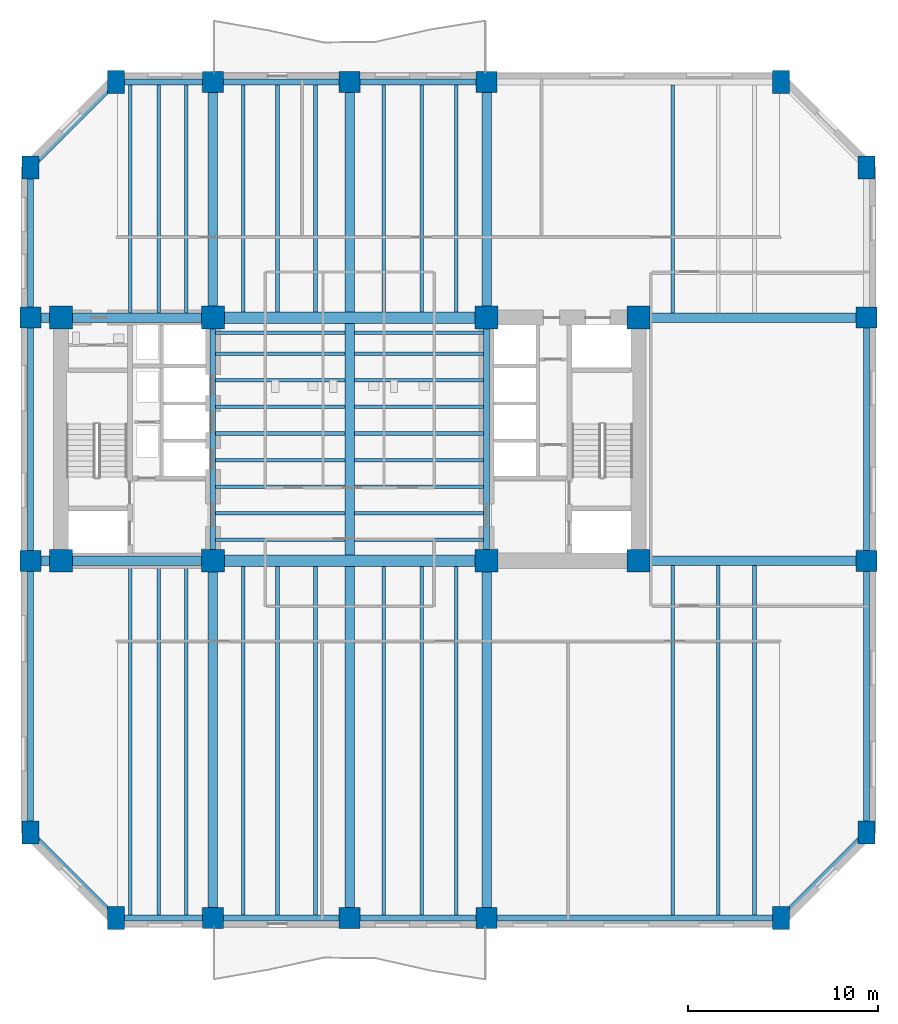
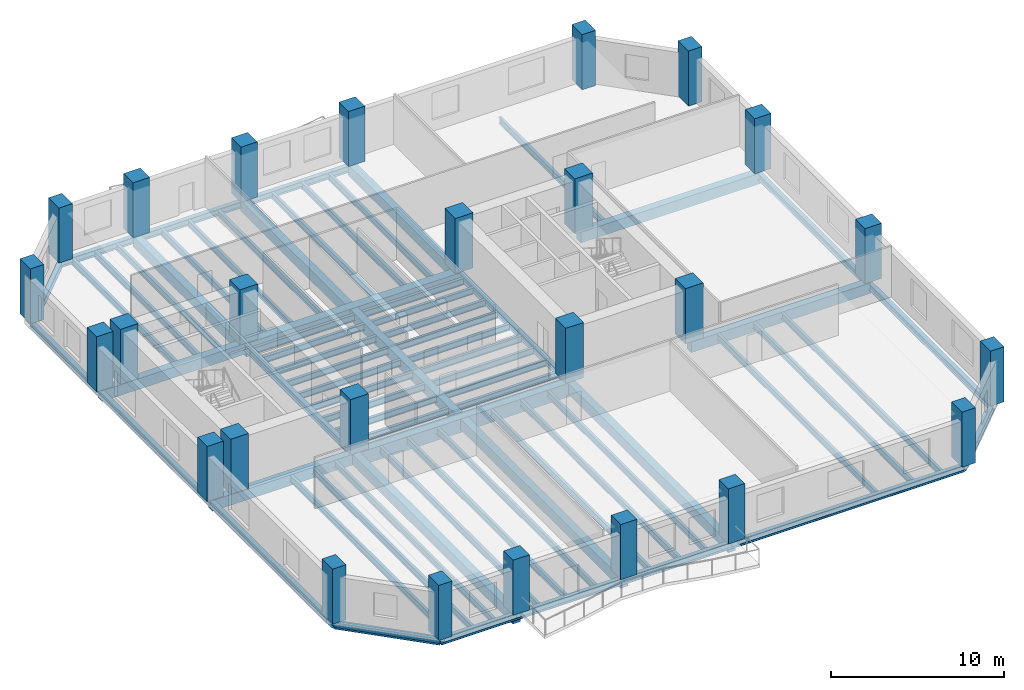
# One storey, part 1 of 9: 70 beams, 26 columns.
"""IFC4 building model written with IfcOpenShell, lengths in metres."""

import ifcopenshell
import ifcopenshell.guid

model = None  # the IFC model being written
_history = None  # IfcOwnerHistory: only IFC2X3 demands one
_inside = {}  # id of a spatial element -> (the spatial element, [elements in it])
_under = {}  # id of a project, library or spatial element -> (it, [spatial elements below it])
_declared = {}  # id of a project -> (the project, [libraries it declares])
_typed = {}  # id of a type object -> (the type object, [elements of that type])
_made_of = {}  # id of a material, layer set ... -> (it, [elements and type objects made of it])


def new_model(schema):
    """Start an empty IFC model of exactly this schema.

    Asked for "IFC4X3", IfcOpenShell would pick the latest addendum, in which some entities
    have other attributes; the version numbers below select the first issue.
    IFC2X3 requires an IfcOwnerHistory on every rooted entity: one is made here for all.
    """
    global model, _history
    if schema == "IFC4X3":
        model = ifcopenshell.file(schema_version=(4, 3, 0, 0))
    else:
        model = ifcopenshell.file(schema=schema)
    _inside.clear()
    _under.clear()
    _declared.clear()
    _typed.clear()
    _made_of.clear()
    _history = None
    if model.schema == "IFC2X3":
        org = make("IfcOrganization", Name="unknown")
        user = make(
            "IfcPersonAndOrganization",
            ThePerson=make("IfcPerson", FamilyName="unknown"),
            TheOrganization=org,
        )
        app = make(
            "IfcApplication",
            ApplicationDeveloper=org,
            Version="unknown",
            ApplicationFullName="unknown",
            ApplicationIdentifier="unknown",
        )
        _history = make(
            "IfcOwnerHistory",
            OwningUser=user,
            OwningApplication=app,
            ChangeAction="ADDED",
            CreationDate=0,
        )
    return model


def make(cls, **values):
    """One entity of the class cls with the attributes given. An attribute that is None is left unset."""
    return model.create_entity(
        cls, **{name: value for name, value in values.items() if value is not None}
    )


def rooted(cls, **values):
    """An entity with a GlobalId (a new one), such as an element, a storey or a relation."""
    return make(cls, GlobalId=ifcopenshell.guid.new(), OwnerHistory=_history, **values)


def si_unit(unit_type, name, prefix=None):
    """IfcSIUnit, for example si_unit("LENGTHUNIT", "METRE", prefix="MILLI")."""
    return make("IfcSIUnit", UnitType=unit_type, Prefix=prefix, Name=name)


def assignment(units):
    """IfcUnitAssignment: the units of a project."""
    return None if units is None else make("IfcUnitAssignment", Units=units)


def point(xyz):
    """IfcCartesianPoint."""
    return None if xyz is None else make("IfcCartesianPoint", Coordinates=xyz)


def direction(xyz):
    """IfcDirection."""
    return None if xyz is None else make("IfcDirection", DirectionRatios=xyz)


def frame(location, z_axis=None, x_axis=None):
    """IfcAxis2Placement3D, a coordinate frame: its origin and axes. An axis left out is left unset."""
    return make(
        "IfcAxis2Placement3D",
        Location=point(location),
        Axis=direction(z_axis),
        RefDirection=direction(x_axis),
    )


def frame_2d(location, x_axis=None):
    """IfcAxis2Placement2D, a coordinate frame in the plane: its origin and x axis."""
    return make(
        "IfcAxis2Placement2D", Location=point(location), RefDirection=direction(x_axis)
    )


def origin():
    """The frame at (0, 0, 0) with its axes left unset."""
    return frame((0.0, 0.0, 0.0))


def origin_2d():
    """The frame at (0, 0) in the plane with its x axis left unset."""
    return frame_2d((0.0, 0.0))


def place(relative_to, where):
    """IfcLocalPlacement: puts the frame where relative to a parent placement (None: the world)."""
    return make(
        "IfcLocalPlacement", PlacementRelTo=relative_to, RelativePlacement=where
    )


def context(
    kind, dimensions, precision=None, world=None, true_north=None, identifier=None
):
    """IfcGeometricRepresentationContext, for example the 3D "Model" context."""
    return make(
        "IfcGeometricRepresentationContext",
        ContextIdentifier=identifier,
        ContextType=kind,
        CoordinateSpaceDimension=dimensions,
        Precision=precision,
        WorldCoordinateSystem=world,
        TrueNorth=true_north,
    )


def subcontext(parent, identifier, kind, view, scale=None):
    """IfcGeometricRepresentationSubContext, for example "Body" below "Model"."""
    return make(
        "IfcGeometricRepresentationSubContext",
        ContextIdentifier=identifier,
        ContextType=kind,
        ParentContext=parent,
        TargetScale=scale,
        TargetView=view,
    )


def project(units=None, contexts=None):
    """IfcProject with its units and contexts."""
    return rooted(
        "IfcProject",
        Name="project",
        RepresentationContexts=contexts,
        UnitsInContext=assignment(units),
    )


def spatial(cls, under=None, at=None, **own):
    """A site, building, storey or space (cls), placed at a placement, below another one or the project."""
    s = rooted(cls, ObjectPlacement=at, **own)
    if under is not None:
        _under.setdefault(under.id(), (under, []))[1].append(s)
    return s


def profile(cls, at=None, kind="AREA", **sizes):
    """A parametric profile (cls). Its sizes go by their IFC names, for example OverallWidth=200.0."""
    return make(cls, ProfileType=kind, Position=at, **sizes)


def rectangle(**sizes):
    """IfcRectangleProfileDef."""
    return profile("IfcRectangleProfileDef", **sizes)


def i_section(**sizes):
    """IfcIShapeProfileDef."""
    return profile("IfcIShapeProfileDef", **sizes)


def extrude(swept, where, along, depth):
    """IfcExtrudedAreaSolid: the profile swept, set in the frame where, extruded along a direction by depth."""
    return make(
        "IfcExtrudedAreaSolid",
        SweptArea=swept,
        Position=where,
        ExtrudedDirection=direction(along),
        Depth=depth,
    )


def shape(context_of_items, identifier, shape_type, items):
    """IfcShapeRepresentation: the items that make up one representation, for example the "Body"."""
    return make(
        "IfcShapeRepresentation",
        ContextOfItems=context_of_items,
        RepresentationIdentifier=identifier,
        RepresentationType=shape_type,
        Items=items,
    )


def material(Name=None, Category=None):
    """IfcMaterial."""
    return make("IfcMaterial", Name=Name, Category=Category)


def material_profile(
    of_material, cross_section, Name=None, Category=None, Priority=None
):
    """IfcMaterialProfile: a cross section and its material."""
    return make(
        "IfcMaterialProfile",
        Name=Name,
        Material=of_material,
        Profile=cross_section,
        Priority=Priority,
        Category=Category,
    )


def profile_set(profiles, Name=None, composite=None):
    """IfcMaterialProfileSet."""
    return make(
        "IfcMaterialProfileSet",
        Name=Name,
        MaterialProfiles=profiles,
        CompositeProfile=composite,
    )


def made_of(thing, what):
    """Note that an element or type object is made of a material, layer set ...; save() writes the relation."""
    if what is not None:
        _made_of.setdefault(what.id(), (what, []))[1].append(thing)
    return thing


def type_object(cls, material=None, **own):
    """A type object (cls), such as IfcWallType, which elements share."""
    return made_of(rooted(cls, **own), material)


def element(
    cls,
    number,
    at=None,
    inside=None,
    cuts=None,
    type_object=None,
    material=None,
    context=None,
    identifier="Body",
    shape_type=None,
    held_by="IfcProductDefinitionShape",
    body=None,
    shapes=None,
    **own,
):
    """One element of the class cls, such as IfcWall. Its Tag is "e" and its number.

    at: its placement. inside: the storey or other place that contains it. cuts: it is an
    opening in that element (IfcRelVoidsElement). A single representation is given by context,
    identifier, shape_type and body (its items); several are given by shapes. held_by: the class
    of the entity that holds the representations. save() writes the other relations.
    """
    e = rooted(cls, Tag="e%d" % number, ObjectPlacement=at, **own)
    if body is not None:
        shapes = [shape(context, identifier, shape_type, body)]
    if shapes is not None:
        e.Representation = make(held_by, Representations=shapes)
    if inside is not None:
        _inside.setdefault(inside.id(), (inside, []))[1].append(e)
    if cuts is not None:
        rooted(
            "IfcRelVoidsElement", RelatingBuildingElement=cuts, RelatedOpeningElement=e
        )
    if type_object is not None:
        _typed.setdefault(type_object.id(), (type_object, []))[1].append(e)
    return made_of(e, material)


def aggregate(whole, parts):
    """IfcRelAggregates: a whole, such as a stair, and the parts it consists of."""
    return rooted("IfcRelAggregates", RelatingObject=whole, RelatedObjects=parts)


def save(model, path):
    """Write the relations noted so far, then the file.

    IfcRelAggregates (storeys below a building ...), IfcRelContainedInSpatialStructure (elements
    in a storey), IfcRelDefinesByType, IfcRelAssociatesMaterial and IfcRelDeclares: one each for
    every whole, place, type object, material and project.
    """
    for whole, parts in _under.values():
        aggregate(whole, parts)
    for where, things in _inside.values():
        rooted(
            "IfcRelContainedInSpatialStructure",
            RelatedElements=things,
            RelatingStructure=where,
        )
    for kind, things in _typed.values():
        rooted("IfcRelDefinesByType", RelatedObjects=things, RelatingType=kind)
    for what, things in _made_of.values():
        rooted("IfcRelAssociatesMaterial", RelatedObjects=things, RelatingMaterial=what)
    for by, libraries in _declared.values():
        rooted("IfcRelDeclares", RelatingContext=by, RelatedDefinitions=libraries)
    model.write(path)


model = new_model("IFC4")

# Units and contexts
model_context = context("Model", 3, precision=1e-05, world=origin(), true_north=direction((0.0, 1.0)))
body_context = subcontext(model_context, "Body", "Model", "MODEL_VIEW")
ifc_project = project(units=[si_unit("LENGTHUNIT", "METRE"), si_unit("AREAUNIT", "SQUARE_METRE"), si_unit("VOLUMEUNIT", "CUBIC_METRE"), si_unit("PLANEANGLEUNIT", "RADIAN"), si_unit("MASSUNIT", "GRAM", prefix="KILO")], contexts=[model_context])

# Site, building, storey
site_placement = place(None, origin())
site = spatial("IfcSite", under=ifc_project, at=site_placement, CompositionType="ELEMENT")
building_placement = place(site_placement, origin())
building = spatial("IfcBuilding", under=site, at=building_placement, Name="Kranthara Brick Stack", CompositionType="ELEMENT")
storey_placement = place(building_placement, frame((0.0, 0.0, 51.60009765625)))
storey = spatial("IfcBuildingStorey", under=building, at=storey_placement, Name="L12", CompositionType="ELEMENT", Elevation=51.60009765625)

# Columns
ifc_material_1 = material(Name="Concrete C70/85", Category="concrete")
ifc_material_profile_1 = material_profile(ifc_material_1, rectangle(XDim=0.89990234375, YDim=1.199951171875, at=origin_2d()), Name="RC 900x1200")
ifc_profile_set_1 = profile_set([ifc_material_profile_1], Name="Concrete C70/85")
column_type_1 = type_object("IfcColumnType", Name="COL-CHAM-900x1200", PredefinedType="COLUMN", material=ifc_profile_set_1)
for number, where, z_axis, x_axis, name in (
    (1, (15.699951171875, 2.0, 0.0), (0.0, 0.0, 1.0), (1.0, 0.0, 0.0), "L12 Column 09"),
    (2, (15.699951171875, 46.0, 0.0), (0.0, 0.0, 1.0), (1.0, 0.0, 0.0), "L12 Column 10"),
    (3, (50.699951171875, 2.0, 0.0), (0.0, 0.0, 1.0), (1.0, 0.0, 0.0), "L12 Column 17"),
    (4, (50.699951171875, 46.0, 0.0), (0.0, 0.0, 1.0), (1.0, 0.0, 0.0), "L12 Column 18"),
    (5, (11.199951171875, 6.5, 0.0), (0.0, 0.0, 1.0), (1.0, 0.0, 0.0), "L12 Column 19"),
    (6, (55.199951171875, 6.5, 0.0), (0.0, 0.0, 1.0), (1.0, 0.0, 0.0), "L12 Column 20"),
    (7, (11.199951171875, 41.5, 0.0), (0.0, 0.0, 1.0), (1.0, 0.0, 0.0), "L12 Column 25"),
    (8, (55.199951171875, 41.5, 0.0), (0.0, 0.0, 1.0), (1.0, 0.0, 0.0), "L12 Column 26"),
):
    element("IfcColumn", number, at=place(storey_placement, frame(where, z_axis=z_axis, x_axis=x_axis)), inside=storey, type_object=column_type_1, Name=name, PredefinedType="COLUMN", context=body_context, shape_type="SweptSolid", body=[
        extrude(rectangle(XDim=0.89990234375, YDim=1.199951171875, at=origin_2d()), origin(), (0.0, 0.0, 1.0), 3.89990234375),
    ])
ifc_material_2 = material(Name="Concrete C70/85", Category="concrete")
ifc_material_profile_2 = material_profile(ifc_material_2, rectangle(XDim=1.199951171875, YDim=1.199951171875, at=origin_2d()), Name="RC 1200x1200")
ifc_profile_set_2 = profile_set([ifc_material_profile_2], Name="Concrete C70/85")
column_type_2 = type_object("IfcColumnType", Name="COL-CORE-1200", PredefinedType="COLUMN", material=ifc_profile_set_2)
for number, where, z_axis, x_axis, name in (
    (9, (12.800048828125, 20.800048828125, 0.0), (0.0, 0.0, 1.0), (1.0, 0.0, 0.0), "L12 Column 01"),
    (10, (20.800048828125, 20.800048828125, 0.0), (0.0, 0.0, 1.0), (1.0, 0.0, 0.0), "L12 Column 02"),
    (11, (12.800048828125, 33.60009765625, 0.0), (0.0, 0.0, 1.0), (1.0, 0.0, 0.0), "L12 Column 03"),
    (12, (20.800048828125, 33.60009765625, 0.0), (0.0, 0.0, 1.0), (1.0, 0.0, 0.0), "L12 Column 04"),
    (13, (35.199951171875, 20.800048828125, 0.0), (0.0, 0.0, 1.0), (1.0, 0.0, 0.0), "L12 Column 05"),
    (14, (43.199951171875, 20.800048828125, 0.0), (0.0, 0.0, 1.0), (1.0, 0.0, 0.0), "L12 Column 06"),
    (15, (35.199951171875, 33.60009765625, 0.0), (0.0, 0.0, 1.0), (1.0, 0.0, 0.0), "L12 Column 07"),
    (16, (43.199951171875, 33.60009765625, 0.0), (0.0, 0.0, 1.0), (1.0, 0.0, 0.0), "L12 Column 08"),
):
    element("IfcColumn", number, at=place(storey_placement, frame(where, z_axis=z_axis, x_axis=x_axis)), inside=storey, type_object=column_type_2, Name=name, PredefinedType="COLUMN", context=body_context, shape_type="SweptSolid", body=[
        extrude(rectangle(XDim=1.199951171875, YDim=1.199951171875, at=origin_2d()), origin(), (0.0, 0.0, 1.0), 3.89990234375),
    ])
ifc_material_3 = material(Name="Concrete C70/85", Category="concrete")
ifc_material_profile_3 = material_profile(ifc_material_3, rectangle(XDim=1.10009765625, YDim=1.10009765625, at=origin_2d()), Name="RC 1100x1100")
ifc_profile_set_3 = profile_set([ifc_material_profile_3], Name="Concrete C70/85")
column_type_3 = type_object("IfcColumnType", Name="COL-PER-1100", PredefinedType="COLUMN", material=ifc_profile_set_3)
for number, where, z_axis, x_axis, name in (
    (17, (20.800048828125, 2.0, 0.0), (0.0, 0.0, 1.0), (1.0, 0.0, 0.0), "L12 Column 11"),
    (18, (20.800048828125, 46.0, 0.0), (0.0, 0.0, 1.0), (1.0, 0.0, 0.0), "L12 Column 12"),
    (19, (28.0, 2.0, 0.0), (0.0, 0.0, 1.0), (1.0, 0.0, 0.0), "L12 Column 13"),
    (20, (28.0, 46.0, 0.0), (0.0, 0.0, 1.0), (1.0, 0.0, 0.0), "L12 Column 14"),
    (21, (35.199951171875, 2.0, 0.0), (0.0, 0.0, 1.0), (1.0, 0.0, 0.0), "L12 Column 15"),
    (22, (35.199951171875, 46.0, 0.0), (0.0, 0.0, 1.0), (1.0, 0.0, 0.0), "L12 Column 16"),
    (23, (11.199951171875, 20.800048828125, 0.0), (0.0, 0.0, 1.0), (1.0, 0.0, 0.0), "L12 Column 21"),
    (24, (55.199951171875, 20.800048828125, 0.0), (0.0, 0.0, 1.0), (1.0, 0.0, 0.0), "L12 Column 22"),
    (25, (11.199951171875, 33.60009765625, 0.0), (0.0, 0.0, 1.0), (1.0, 0.0, 0.0), "L12 Column 23"),
    (26, (55.199951171875, 33.60009765625, 0.0), (0.0, 0.0, 1.0), (1.0, 0.0, 0.0), "L12 Column 24"),
):
    element("IfcColumn", number, at=place(storey_placement, frame(where, z_axis=z_axis, x_axis=x_axis)), inside=storey, type_object=column_type_3, Name=name, PredefinedType="COLUMN", context=body_context, shape_type="SweptSolid", body=[
        extrude(rectangle(XDim=1.10009765625, YDim=1.10009765625, at=origin_2d()), origin(), (0.0, 0.0, 1.0), 3.89990234375),
    ])

# Beams
ifc_material_4 = material(Name="Concrete C60/75", Category="concrete")
ifc_material_profile_4 = material_profile(ifc_material_4, rectangle(XDim=0.60009765625, YDim=0.949951171875, at=origin_2d()), Name="RC 600x950")
ifc_profile_set_4 = profile_set([ifc_material_profile_4], Name="Concrete C60/75")
beam_type_1 = type_object("IfcBeamType", Name="BM-CPL-RC950", PredefinedType="LINTEL", material=ifc_profile_set_4)
for number, where, z_axis, x_axis, name in (
    (27, (20.800048828125, 20.800048828125, -0.775146484375), (1.0, 0.0, 0.0), (0.0, 1.0, 0.0), "L12 Core Coupling Beam 001"),
    (28, (20.800048828125, 33.60009765625, -0.775146484375), (1.0, 0.0, 0.0), (0.0, 1.0, 0.0), "L12 Core Coupling Beam 002"),
):
    element("IfcBeam", number, at=place(storey_placement, frame(where, z_axis=z_axis, x_axis=x_axis)), inside=storey, type_object=beam_type_1, Name=name, PredefinedType="LINTEL", context=body_context, shape_type="SweptSolid", body=[
        extrude(rectangle(XDim=0.60009765625, YDim=0.949951171875, at=origin_2d()), origin(), (0.0, 0.0, 1.0), 14.39990234375),
    ])
ifc_material_5 = material(Name="Post-tensioned concrete C45/55", Category="concrete")
ifc_material_profile_5 = material_profile(ifc_material_5, rectangle(XDim=0.5, YDim=0.75, at=origin_2d()), Name="PT 500x750")
ifc_profile_set_5 = profile_set([ifc_material_profile_5], Name="Post-tensioned concrete C45/55")
beam_type_2 = type_object("IfcBeamType", Name="BM-FLR-PT750", PredefinedType="BEAM", material=ifc_profile_set_5)
beam_1_placement = place(storey_placement, frame((20.800048828125, 2.0, -0.675048828125), z_axis=(0.0, 1.0, 0.0), x_axis=(-1.0, 0.0, 0.0)))
element("IfcBeam", 29, at=beam_1_placement, inside=storey, type_object=beam_type_2, Name="L12 Primary Grid Girder 023", PredefinedType="BEAM", context=body_context, shape_type="SweptSolid", body=[
    extrude(rectangle(XDim=0.5, YDim=0.75, at=origin_2d()), origin(), (0.0, 0.0, 1.0), 18.800048828125),
])
beam_2_placement = place(storey_placement, frame((20.800048828125, 33.60009765625, -0.675048828125), z_axis=(0.0, 1.0, 0.0), x_axis=(-1.0, 0.0, 0.0)))
element("IfcBeam", 30, at=beam_2_placement, inside=storey, type_object=beam_type_2, Name="L12 Primary Grid Girder 024", PredefinedType="BEAM", context=body_context, shape_type="SweptSolid", body=[
    extrude(rectangle(XDim=0.5, YDim=0.75, at=origin_2d()), origin(), (0.0, 0.0, 1.0), 12.39990234375),
])
beam_3_placement = place(storey_placement, frame((28.0, 2.0, -0.675048828125), z_axis=(0.0, 1.0, 0.0), x_axis=(-1.0, 0.0, 0.0)))
element("IfcBeam", 31, at=beam_3_placement, inside=storey, type_object=beam_type_2, Name="L12 Primary Grid Girder 025", PredefinedType="BEAM", context=body_context, shape_type="SweptSolid", body=[
    extrude(rectangle(XDim=0.5, YDim=0.75, at=origin_2d()), origin(), (0.0, 0.0, 1.0), 18.5),
])
beam_4_placement = place(storey_placement, frame((28.0, 21.10009765625, -0.675048828125), z_axis=(0.0, 1.0, 0.0), x_axis=(-1.0, 0.0, 0.0)))
element("IfcBeam", 32, at=beam_4_placement, inside=storey, type_object=beam_type_2, Name="L12 Central Spine Girder 026", PredefinedType="BEAM", context=body_context, shape_type="SweptSolid", body=[
    extrude(rectangle(XDim=0.5, YDim=0.75, at=origin_2d()), origin(), (0.0, 0.0, 1.0), 12.199951171875),
])
beam_5_placement = place(storey_placement, frame((28.0, 33.89990234375, -0.675048828125), z_axis=(0.0, 1.0, 0.0), x_axis=(-1.0, 0.0, 0.0)))
element("IfcBeam", 33, at=beam_5_placement, inside=storey, type_object=beam_type_2, Name="L12 Primary Grid Girder 027", PredefinedType="BEAM", context=body_context, shape_type="SweptSolid", body=[
    extrude(rectangle(XDim=0.5, YDim=0.75, at=origin_2d()), origin(), (0.0, 0.0, 1.0), 12.10009765625),
])
beam_6_placement = place(storey_placement, frame((35.199951171875, 2.0, -0.675048828125), z_axis=(0.0, 1.0, 0.0), x_axis=(-1.0, 0.0, 0.0)))
element("IfcBeam", 34, at=beam_6_placement, inside=storey, type_object=beam_type_2, Name="L12 Primary Grid Girder 028", PredefinedType="BEAM", context=body_context, shape_type="SweptSolid", body=[
    extrude(rectangle(XDim=0.5, YDim=0.75, at=origin_2d()), origin(), (0.0, 0.0, 1.0), 18.800048828125),
])
beam_7_placement = place(storey_placement, frame((35.199951171875, 33.60009765625, -0.675048828125), z_axis=(0.0, 1.0, 0.0), x_axis=(-1.0, 0.0, 0.0)))
element("IfcBeam", 35, at=beam_7_placement, inside=storey, type_object=beam_type_2, Name="L12 Primary Grid Girder 029", PredefinedType="BEAM", context=body_context, shape_type="SweptSolid", body=[
    extrude(rectangle(XDim=0.5, YDim=0.75, at=origin_2d()), origin(), (0.0, 0.0, 1.0), 12.39990234375),
])
beam_8_placement = place(storey_placement, frame((11.199951171875, 20.800048828125, -0.675048828125), z_axis=(1.0, 0.0, 0.0), x_axis=(0.0, 1.0, 0.0)))
element("IfcBeam", 36, at=beam_8_placement, inside=storey, type_object=beam_type_2, Name="L12 Primary Grid Girder 030", PredefinedType="BEAM", context=body_context, shape_type="SweptSolid", body=[
    extrude(rectangle(XDim=0.5, YDim=0.75, at=origin_2d()), origin(), (0.0, 0.0, 1.0), 9.60009765625),
])
beam_9_placement = place(storey_placement, frame((43.199951171875, 20.800048828125, -0.675048828125), z_axis=(1.0, 0.0, 0.0), x_axis=(0.0, 1.0, 0.0)))
element("IfcBeam", 37, at=beam_9_placement, inside=storey, type_object=beam_type_2, Name="L12 Primary Grid Girder 031", PredefinedType="BEAM", context=body_context, shape_type="SweptSolid", body=[
    extrude(rectangle(XDim=0.5, YDim=0.75, at=origin_2d()), origin(), (0.0, 0.0, 1.0), 12.0),
])
beam_10_placement = place(storey_placement, frame((11.199951171875, 33.60009765625, -0.675048828125), z_axis=(1.0, 0.0, 0.0), x_axis=(0.0, 1.0, 0.0)))
element("IfcBeam", 38, at=beam_10_placement, inside=storey, type_object=beam_type_2, Name="L12 Primary Grid Girder 032", PredefinedType="BEAM", context=body_context, shape_type="SweptSolid", body=[
    extrude(rectangle(XDim=0.5, YDim=0.75, at=origin_2d()), origin(), (0.0, 0.0, 1.0), 9.60009765625),
])
beam_11_placement = place(storey_placement, frame((43.199951171875, 33.60009765625, -0.675048828125), z_axis=(1.0, 0.0, 0.0), x_axis=(0.0, 1.0, 0.0)))
element("IfcBeam", 39, at=beam_11_placement, inside=storey, type_object=beam_type_2, Name="L12 Primary Grid Girder 033", PredefinedType="BEAM", context=body_context, shape_type="SweptSolid", body=[
    extrude(rectangle(XDim=0.5, YDim=0.75, at=origin_2d()), origin(), (0.0, 0.0, 1.0), 12.0),
])
ifc_material_6 = material(Name="Steel S355", Category="steel")
ifc_material_profile_6 = material_profile(ifc_material_6, i_section(OverallWidth=0.18994140625, OverallDepth=0.449951171875, WebThickness=0.009521484375, FlangeThickness=0.0146484375, at=origin_2d()), Name="IPE 450")
ifc_profile_set_6 = profile_set([ifc_material_profile_6], Name="Steel S355")
beam_type_3 = type_object("IfcBeamType", Name="BM-JST-IPE450", PredefinedType="JOIST", material=ifc_profile_set_6)
for number, where, z_axis, x_axis, name in (
    (40, (20.949951171875, 21.89990234375, -0.525146484375), (1.0, 0.0, 0.0), (0.0, 1.0, 0.0), "L12 Central Floor Joist 034"),
    (41, (28.25, 21.89990234375, -0.525146484375), (1.0, 0.0, 0.0), (0.0, 1.0, 0.0), "L12 Central Floor Joist 035"),
    (42, (20.949951171875, 23.300048828125, -0.525146484375), (1.0, 0.0, 0.0), (0.0, 1.0, 0.0), "L12 Central Floor Joist 036"),
    (43, (28.25, 23.300048828125, -0.525146484375), (1.0, 0.0, 0.0), (0.0, 1.0, 0.0), "L12 Central Floor Joist 037"),
    (44, (20.949951171875, 24.699951171875, -0.525146484375), (1.0, 0.0, 0.0), (0.0, 1.0, 0.0), "L12 Central Floor Joist 038"),
    (45, (28.25, 24.699951171875, -0.525146484375), (1.0, 0.0, 0.0), (0.0, 1.0, 0.0), "L12 Central Floor Joist 039"),
    (46, (20.949951171875, 26.10009765625, -0.525146484375), (1.0, 0.0, 0.0), (0.0, 1.0, 0.0), "L12 Central Floor Joist 040"),
    (47, (28.25, 26.10009765625, -0.525146484375), (1.0, 0.0, 0.0), (0.0, 1.0, 0.0), "L12 Central Floor Joist 041"),
    (48, (20.949951171875, 27.5, -0.525146484375), (1.0, 0.0, 0.0), (0.0, 1.0, 0.0), "L12 Central Floor Joist 042"),
    (49, (28.25, 27.5, -0.525146484375), (1.0, 0.0, 0.0), (0.0, 1.0, 0.0), "L12 Central Floor Joist 043"),
    (50, (20.949951171875, 28.89990234375, -0.525146484375), (1.0, 0.0, 0.0), (0.0, 1.0, 0.0), "L12 Central Floor Joist 044"),
    (51, (28.25, 28.89990234375, -0.525146484375), (1.0, 0.0, 0.0), (0.0, 1.0, 0.0), "L12 Central Floor Joist 045"),
    (52, (20.949951171875, 30.300048828125, -0.525146484375), (1.0, 0.0, 0.0), (0.0, 1.0, 0.0), "L12 Central Floor Joist 046"),
    (53, (28.25, 30.300048828125, -0.525146484375), (1.0, 0.0, 0.0), (0.0, 1.0, 0.0), "L12 Central Floor Joist 047"),
    (54, (20.949951171875, 31.699951171875, -0.525146484375), (1.0, 0.0, 0.0), (0.0, 1.0, 0.0), "L12 Central Floor Joist 048"),
    (55, (28.25, 31.699951171875, -0.525146484375), (1.0, 0.0, 0.0), (0.0, 1.0, 0.0), "L12 Central Floor Joist 049"),
    (56, (20.949951171875, 32.800048828125, -0.525146484375), (1.0, 0.0, 0.0), (0.0, 1.0, 0.0), "L12 Central Floor Joist 050"),
    (57, (28.25, 32.800048828125, -0.525146484375), (1.0, 0.0, 0.0), (0.0, 1.0, 0.0), "L12 Central Floor Joist 051"),
):
    element("IfcBeam", number, at=place(storey_placement, frame(where, z_axis=z_axis, x_axis=x_axis)), inside=storey, type_object=beam_type_3, Name=name, PredefinedType="JOIST", context=body_context, shape_type="SweptSolid", body=[
        extrude(i_section(OverallWidth=0.18994140625, OverallDepth=0.449951171875, WebThickness=0.009521484375, FlangeThickness=0.0146484375, at=origin_2d()), origin(), (0.0, 0.0, 1.0), 6.800048828125),
    ])
beam_12_placement = place(storey_placement, frame((16.449951171875, 2.14990234375, -0.525146484375), z_axis=(0.0, 1.0, 0.0), x_axis=(-1.0, 0.0, 0.0)))
element("IfcBeam", 58, at=beam_12_placement, inside=storey, type_object=beam_type_3, Name="L12 South Wing Floor Joist 052", PredefinedType="JOIST", context=body_context, shape_type="SweptSolid", body=[
    extrude(i_section(OverallWidth=0.18994140625, OverallDepth=0.449951171875, WebThickness=0.009521484375, FlangeThickness=0.0146484375, at=origin_2d()), origin(), (0.0, 0.0, 1.0), 18.400146484375),
])
beam_13_placement = place(storey_placement, frame((16.449951171875, 33.85009765625, -0.525146484375), z_axis=(0.0, 1.0, 0.0), x_axis=(-1.0, 0.0, 0.0)))
element("IfcBeam", 59, at=beam_13_placement, inside=storey, type_object=beam_type_3, Name="L12 North Wing Floor Joist 053", PredefinedType="JOIST", context=body_context, shape_type="SweptSolid", body=[
    extrude(i_section(OverallWidth=0.18994140625, OverallDepth=0.449951171875, WebThickness=0.009521484375, FlangeThickness=0.0146484375, at=origin_2d()), origin(), (0.0, 0.0, 1.0), 12.0),
])
beam_14_placement = place(storey_placement, frame((17.949951171875, 2.14990234375, -0.525146484375), z_axis=(0.0, 1.0, 0.0), x_axis=(-1.0, 0.0, 0.0)))
element("IfcBeam", 60, at=beam_14_placement, inside=storey, type_object=beam_type_3, Name="L12 South Wing Floor Joist 054", PredefinedType="JOIST", context=body_context, shape_type="SweptSolid", body=[
    extrude(i_section(OverallWidth=0.18994140625, OverallDepth=0.449951171875, WebThickness=0.009521484375, FlangeThickness=0.0146484375, at=origin_2d()), origin(), (0.0, 0.0, 1.0), 18.400146484375),
])
beam_15_placement = place(storey_placement, frame((17.949951171875, 33.85009765625, -0.525146484375), z_axis=(0.0, 1.0, 0.0), x_axis=(-1.0, 0.0, 0.0)))
element("IfcBeam", 61, at=beam_15_placement, inside=storey, type_object=beam_type_3, Name="L12 North Wing Floor Joist 055", PredefinedType="JOIST", context=body_context, shape_type="SweptSolid", body=[
    extrude(i_section(OverallWidth=0.18994140625, OverallDepth=0.449951171875, WebThickness=0.009521484375, FlangeThickness=0.0146484375, at=origin_2d()), origin(), (0.0, 0.0, 1.0), 12.0),
])
beam_16_placement = place(storey_placement, frame((19.39990234375, 2.14990234375, -0.525146484375), z_axis=(0.0, 1.0, 0.0), x_axis=(-1.0, 0.0, 0.0)))
element("IfcBeam", 62, at=beam_16_placement, inside=storey, type_object=beam_type_3, Name="L12 South Wing Floor Joist 056", PredefinedType="JOIST", context=body_context, shape_type="SweptSolid", body=[
    extrude(i_section(OverallWidth=0.18994140625, OverallDepth=0.449951171875, WebThickness=0.009521484375, FlangeThickness=0.0146484375, at=origin_2d()), origin(), (0.0, 0.0, 1.0), 18.400146484375),
])
beam_17_placement = place(storey_placement, frame((19.39990234375, 33.85009765625, -0.525146484375), z_axis=(0.0, 1.0, 0.0), x_axis=(-1.0, 0.0, 0.0)))
element("IfcBeam", 63, at=beam_17_placement, inside=storey, type_object=beam_type_3, Name="L12 North Wing Floor Joist 057", PredefinedType="JOIST", context=body_context, shape_type="SweptSolid", body=[
    extrude(i_section(OverallWidth=0.18994140625, OverallDepth=0.449951171875, WebThickness=0.009521484375, FlangeThickness=0.0146484375, at=origin_2d()), origin(), (0.0, 0.0, 1.0), 12.0),
])
beam_18_placement = place(storey_placement, frame((22.39990234375, 2.14990234375, -0.525146484375), z_axis=(0.0, 1.0, 0.0), x_axis=(-1.0, 0.0, 0.0)))
element("IfcBeam", 64, at=beam_18_placement, inside=storey, type_object=beam_type_3, Name="L12 South Wing Floor Joist 058", PredefinedType="JOIST", context=body_context, shape_type="SweptSolid", body=[
    extrude(i_section(OverallWidth=0.18994140625, OverallDepth=0.449951171875, WebThickness=0.009521484375, FlangeThickness=0.0146484375, at=origin_2d()), origin(), (0.0, 0.0, 1.0), 18.35009765625),
])
beam_19_placement = place(storey_placement, frame((22.39990234375, 33.89990234375, -0.525146484375), z_axis=(0.0, 1.0, 0.0), x_axis=(-1.0, 0.0, 0.0)))
element("IfcBeam", 65, at=beam_19_placement, inside=storey, type_object=beam_type_3, Name="L12 North Wing Floor Joist 059", PredefinedType="JOIST", context=body_context, shape_type="SweptSolid", body=[
    extrude(i_section(OverallWidth=0.18994140625, OverallDepth=0.449951171875, WebThickness=0.009521484375, FlangeThickness=0.0146484375, at=origin_2d()), origin(), (0.0, 0.0, 1.0), 11.9501953125),
])
beam_20_placement = place(storey_placement, frame((24.199951171875, 2.14990234375, -0.525146484375), z_axis=(0.0, 1.0, 0.0), x_axis=(-1.0, 0.0, 0.0)))
element("IfcBeam", 66, at=beam_20_placement, inside=storey, type_object=beam_type_3, Name="L12 South Wing Floor Joist 060", PredefinedType="JOIST", context=body_context, shape_type="SweptSolid", body=[
    extrude(i_section(OverallWidth=0.18994140625, OverallDepth=0.449951171875, WebThickness=0.009521484375, FlangeThickness=0.0146484375, at=origin_2d()), origin(), (0.0, 0.0, 1.0), 18.35009765625),
])
beam_21_placement = place(storey_placement, frame((24.199951171875, 33.89990234375, -0.525146484375), z_axis=(0.0, 1.0, 0.0), x_axis=(-1.0, 0.0, 0.0)))
element("IfcBeam", 67, at=beam_21_placement, inside=storey, type_object=beam_type_3, Name="L12 North Wing Floor Joist 061", PredefinedType="JOIST", context=body_context, shape_type="SweptSolid", body=[
    extrude(i_section(OverallWidth=0.18994140625, OverallDepth=0.449951171875, WebThickness=0.009521484375, FlangeThickness=0.0146484375, at=origin_2d()), origin(), (0.0, 0.0, 1.0), 11.9501953125),
])
beam_22_placement = place(storey_placement, frame((26.199951171875, 2.14990234375, -0.525146484375), z_axis=(0.0, 1.0, 0.0), x_axis=(-1.0, 0.0, 0.0)))
element("IfcBeam", 68, at=beam_22_placement, inside=storey, type_object=beam_type_3, Name="L12 South Wing Floor Joist 062", PredefinedType="JOIST", context=body_context, shape_type="SweptSolid", body=[
    extrude(i_section(OverallWidth=0.18994140625, OverallDepth=0.449951171875, WebThickness=0.009521484375, FlangeThickness=0.0146484375, at=origin_2d()), origin(), (0.0, 0.0, 1.0), 18.35009765625),
])
beam_23_placement = place(storey_placement, frame((26.199951171875, 33.89990234375, -0.525146484375), z_axis=(0.0, 1.0, 0.0), x_axis=(-1.0, 0.0, 0.0)))
element("IfcBeam", 69, at=beam_23_placement, inside=storey, type_object=beam_type_3, Name="L12 North Wing Floor Joist 063", PredefinedType="JOIST", context=body_context, shape_type="SweptSolid", body=[
    extrude(i_section(OverallWidth=0.18994140625, OverallDepth=0.449951171875, WebThickness=0.009521484375, FlangeThickness=0.0146484375, at=origin_2d()), origin(), (0.0, 0.0, 1.0), 11.9501953125),
])
beam_24_placement = place(storey_placement, frame((29.800048828125, 2.14990234375, -0.525146484375), z_axis=(0.0, 1.0, 0.0), x_axis=(-1.0, 0.0, 0.0)))
element("IfcBeam", 70, at=beam_24_placement, inside=storey, type_object=beam_type_3, Name="L12 South Wing Floor Joist 064", PredefinedType="JOIST", context=body_context, shape_type="SweptSolid", body=[
    extrude(i_section(OverallWidth=0.18994140625, OverallDepth=0.449951171875, WebThickness=0.009521484375, FlangeThickness=0.0146484375, at=origin_2d()), origin(), (0.0, 0.0, 1.0), 18.35009765625),
])
beam_25_placement = place(storey_placement, frame((29.800048828125, 33.89990234375, -0.525146484375), z_axis=(0.0, 1.0, 0.0), x_axis=(-1.0, 0.0, 0.0)))
element("IfcBeam", 71, at=beam_25_placement, inside=storey, type_object=beam_type_3, Name="L12 North Wing Floor Joist 065", PredefinedType="JOIST", context=body_context, shape_type="SweptSolid", body=[
    extrude(i_section(OverallWidth=0.18994140625, OverallDepth=0.449951171875, WebThickness=0.009521484375, FlangeThickness=0.0146484375, at=origin_2d()), origin(), (0.0, 0.0, 1.0), 11.9501953125),
])
beam_26_placement = place(storey_placement, frame((31.800048828125, 2.14990234375, -0.525146484375), z_axis=(0.0, 1.0, 0.0), x_axis=(-1.0, 0.0, 0.0)))
element("IfcBeam", 72, at=beam_26_placement, inside=storey, type_object=beam_type_3, Name="L12 South Wing Floor Joist 066", PredefinedType="JOIST", context=body_context, shape_type="SweptSolid", body=[
    extrude(i_section(OverallWidth=0.18994140625, OverallDepth=0.449951171875, WebThickness=0.009521484375, FlangeThickness=0.0146484375, at=origin_2d()), origin(), (0.0, 0.0, 1.0), 18.35009765625),
])
beam_27_placement = place(storey_placement, frame((31.800048828125, 33.89990234375, -0.525146484375), z_axis=(0.0, 1.0, 0.0), x_axis=(-1.0, 0.0, 0.0)))
element("IfcBeam", 73, at=beam_27_placement, inside=storey, type_object=beam_type_3, Name="L12 North Wing Floor Joist 067", PredefinedType="JOIST", context=body_context, shape_type="SweptSolid", body=[
    extrude(i_section(OverallWidth=0.18994140625, OverallDepth=0.449951171875, WebThickness=0.009521484375, FlangeThickness=0.0146484375, at=origin_2d()), origin(), (0.0, 0.0, 1.0), 11.9501953125),
])
beam_28_placement = place(storey_placement, frame((33.60009765625, 2.14990234375, -0.525146484375), z_axis=(0.0, 1.0, 0.0), x_axis=(-1.0, 0.0, 0.0)))
element("IfcBeam", 74, at=beam_28_placement, inside=storey, type_object=beam_type_3, Name="L12 South Wing Floor Joist 068", PredefinedType="JOIST", context=body_context, shape_type="SweptSolid", body=[
    extrude(i_section(OverallWidth=0.18994140625, OverallDepth=0.449951171875, WebThickness=0.009521484375, FlangeThickness=0.0146484375, at=origin_2d()), origin(), (0.0, 0.0, 1.0), 18.35009765625),
])
beam_29_placement = place(storey_placement, frame((33.60009765625, 33.89990234375, -0.525146484375), z_axis=(0.0, 1.0, 0.0), x_axis=(-1.0, 0.0, 0.0)))
element("IfcBeam", 75, at=beam_29_placement, inside=storey, type_object=beam_type_3, Name="L12 North Wing Floor Joist 069", PredefinedType="JOIST", context=body_context, shape_type="SweptSolid", body=[
    extrude(i_section(OverallWidth=0.18994140625, OverallDepth=0.449951171875, WebThickness=0.009521484375, FlangeThickness=0.0146484375, at=origin_2d()), origin(), (0.0, 0.0, 1.0), 11.9501953125),
])
beam_30_placement = place(storey_placement, frame((45.0, 2.14990234375, -0.525146484375), z_axis=(0.0, 1.0, 0.0), x_axis=(-1.0, 0.0, 0.0)))
element("IfcBeam", 76, at=beam_30_placement, inside=storey, type_object=beam_type_3, Name="L12 South Wing Floor Joist 070", PredefinedType="JOIST", context=body_context, shape_type="SweptSolid", body=[
    extrude(i_section(OverallWidth=0.18994140625, OverallDepth=0.449951171875, WebThickness=0.009521484375, FlangeThickness=0.0146484375, at=origin_2d()), origin(), (0.0, 0.0, 1.0), 18.400146484375),
])
beam_31_placement = place(storey_placement, frame((45.0, 33.85009765625, -0.525146484375), z_axis=(0.0, 1.0, 0.0), x_axis=(-1.0, 0.0, 0.0)))
element("IfcBeam", 77, at=beam_31_placement, inside=storey, type_object=beam_type_3, Name="L12 North Wing Floor Joist 071", PredefinedType="JOIST", context=body_context, shape_type="SweptSolid", body=[
    extrude(i_section(OverallWidth=0.18994140625, OverallDepth=0.449951171875, WebThickness=0.009521484375, FlangeThickness=0.0146484375, at=origin_2d()), origin(), (0.0, 0.0, 1.0), 12.0),
])
for number, where, z_axis, x_axis, name in (
    (78, (47.39990234375, 2.14990234375, -0.525146484375), (0.0, 1.0, 0.0), (-1.0, 0.0, 0.0), "L12 South Wing Floor Joist 072"),
    (79, (49.300048828125, 2.14990234375, -0.525146484375), (0.0, 1.0, 0.0), (-1.0, 0.0, 0.0), "L12 South Wing Floor Joist 074"),
):
    element("IfcBeam", number, at=place(storey_placement, frame(where, z_axis=z_axis, x_axis=x_axis)), inside=storey, type_object=beam_type_3, Name=name, PredefinedType="JOIST", context=body_context, shape_type="SweptSolid", body=[
        extrude(i_section(OverallWidth=0.18994140625, OverallDepth=0.449951171875, WebThickness=0.009521484375, FlangeThickness=0.0146484375, at=origin_2d()), origin(), (0.0, 0.0, 1.0), 18.400146484375),
    ])
ifc_material_7 = material(Name="Steel S355", Category="steel")
ifc_material_profile_7 = material_profile(ifc_material_7, i_section(OverallWidth=0.300048828125, OverallDepth=0.449951171875, WebThickness=0.013916015625, FlangeThickness=0.02587890625, at=origin_2d()), Name="HEB 450")
ifc_profile_set_7 = profile_set([ifc_material_profile_7], Name="Steel S355")
beam_type_4 = type_object("IfcBeamType", Name="BM-STL-HEB450", PredefinedType="SPANDREL", material=ifc_profile_set_7)
for number, where, z_axis, x_axis, name in (
    (80, (20.800048828125, 20.800048828125, -0.525146484375), (0.0, 1.0, 0.0), (-1.0, 0.0, 0.0), "L12 Core Edge Tie Beam 003"),
    (81, (35.199951171875, 20.800048828125, -0.525146484375), (0.0, 1.0, 0.0), (-1.0, 0.0, 0.0), "L12 Core Edge Tie Beam 004"),
):
    element("IfcBeam", number, at=place(storey_placement, frame(where, z_axis=z_axis, x_axis=x_axis)), inside=storey, type_object=beam_type_4, Name=name, PredefinedType="SPANDREL", context=body_context, shape_type="SweptSolid", body=[
        extrude(i_section(OverallWidth=0.300048828125, OverallDepth=0.449951171875, WebThickness=0.013916015625, FlangeThickness=0.02587890625, at=origin_2d()), origin(), (0.0, 0.0, 1.0), 12.800048828125),
    ])
beam_32_placement = place(storey_placement, frame((15.699951171875, 2.0, -0.525146484375), z_axis=(1.0, 0.0, 0.0), x_axis=(0.0, 1.0, 0.0)))
element("IfcBeam", 82, at=beam_32_placement, inside=storey, type_object=beam_type_4, Name="L12 Perimeter Spandrel Beam 005", PredefinedType="SPANDREL", context=body_context, shape_type="SweptSolid", body=[
    extrude(i_section(OverallWidth=0.300048828125, OverallDepth=0.449951171875, WebThickness=0.013916015625, FlangeThickness=0.02587890625, at=origin_2d()), origin(), (0.0, 0.0, 1.0), 5.10009765625),
])
for number, where, z_axis, x_axis, name in (
    (83, (20.800048828125, 2.0, -0.525146484375), (1.0, 0.0, 0.0), (0.0, 1.0, 0.0), "L12 Perimeter Spandrel Beam 006"),
    (84, (28.0, 2.0, -0.525146484375), (1.0, 0.0, 0.0), (0.0, 1.0, 0.0), "L12 Perimeter Spandrel Beam 007"),
):
    element("IfcBeam", number, at=place(storey_placement, frame(where, z_axis=z_axis, x_axis=x_axis)), inside=storey, type_object=beam_type_4, Name=name, PredefinedType="SPANDREL", context=body_context, shape_type="SweptSolid", body=[
        extrude(i_section(OverallWidth=0.300048828125, OverallDepth=0.449951171875, WebThickness=0.013916015625, FlangeThickness=0.02587890625, at=origin_2d()), origin(), (0.0, 0.0, 1.0), 7.199951171875),
    ])
beam_33_placement = place(storey_placement, frame((35.199951171875, 2.0, -0.525146484375), z_axis=(1.0, 0.0, 0.0), x_axis=(0.0, 1.0, 0.0)))
element("IfcBeam", 85, at=beam_33_placement, inside=storey, type_object=beam_type_4, Name="L12 Perimeter Spandrel Beam 008", PredefinedType="SPANDREL", context=body_context, shape_type="SweptSolid", body=[
    extrude(i_section(OverallWidth=0.300048828125, OverallDepth=0.449951171875, WebThickness=0.013916015625, FlangeThickness=0.02587890625, at=origin_2d()), origin(), (0.0, 0.0, 1.0), 15.5),
])
beam_34_placement = place(storey_placement, frame((15.699951171875, 46.0, -0.525146484375), z_axis=(1.0, 0.0, 0.0), x_axis=(0.0, 1.0, 0.0)))
element("IfcBeam", 86, at=beam_34_placement, inside=storey, type_object=beam_type_4, Name="L12 Perimeter Spandrel Beam 009", PredefinedType="SPANDREL", context=body_context, shape_type="SweptSolid", body=[
    extrude(i_section(OverallWidth=0.300048828125, OverallDepth=0.449951171875, WebThickness=0.013916015625, FlangeThickness=0.02587890625, at=origin_2d()), origin(), (0.0, 0.0, 1.0), 5.10009765625),
])
for number, where, z_axis, x_axis, name in (
    (87, (20.800048828125, 46.0, -0.525146484375), (1.0, 0.0, 0.0), (0.0, 1.0, 0.0), "L12 Perimeter Spandrel Beam 010"),
    (88, (28.0, 46.0, -0.525146484375), (1.0, 0.0, 0.0), (0.0, 1.0, 0.0), "L12 Perimeter Spandrel Beam 011"),
):
    element("IfcBeam", number, at=place(storey_placement, frame(where, z_axis=z_axis, x_axis=x_axis)), inside=storey, type_object=beam_type_4, Name=name, PredefinedType="SPANDREL", context=body_context, shape_type="SweptSolid", body=[
        extrude(i_section(OverallWidth=0.300048828125, OverallDepth=0.449951171875, WebThickness=0.013916015625, FlangeThickness=0.02587890625, at=origin_2d()), origin(), (0.0, 0.0, 1.0), 7.199951171875),
    ])
beam_35_placement = place(storey_placement, frame((11.199951171875, 6.5, -0.525146484375), z_axis=(0.0, 1.0, 0.0), x_axis=(-1.0, 0.0, 0.0)))
element("IfcBeam", 89, at=beam_35_placement, inside=storey, type_object=beam_type_4, Name="L12 Perimeter Spandrel Beam 013", PredefinedType="SPANDREL", context=body_context, shape_type="SweptSolid", body=[
    extrude(i_section(OverallWidth=0.300048828125, OverallDepth=0.449951171875, WebThickness=0.013916015625, FlangeThickness=0.02587890625, at=origin_2d()), origin(), (0.0, 0.0, 1.0), 14.300048828125),
])
beam_36_placement = place(storey_placement, frame((11.199951171875, 20.800048828125, -0.525146484375), z_axis=(0.0, 1.0, 0.0), x_axis=(-1.0, 0.0, 0.0)))
element("IfcBeam", 90, at=beam_36_placement, inside=storey, type_object=beam_type_4, Name="L12 Perimeter Spandrel Beam 014", PredefinedType="SPANDREL", context=body_context, shape_type="SweptSolid", body=[
    extrude(i_section(OverallWidth=0.300048828125, OverallDepth=0.449951171875, WebThickness=0.013916015625, FlangeThickness=0.02587890625, at=origin_2d()), origin(), (0.0, 0.0, 1.0), 12.800048828125),
])
beam_37_placement = place(storey_placement, frame((11.199951171875, 33.60009765625, -0.525146484375), z_axis=(0.0, 1.0, 0.0), x_axis=(-1.0, 0.0, 0.0)))
element("IfcBeam", 91, at=beam_37_placement, inside=storey, type_object=beam_type_4, Name="L12 Perimeter Spandrel Beam 015", PredefinedType="SPANDREL", context=body_context, shape_type="SweptSolid", body=[
    extrude(i_section(OverallWidth=0.300048828125, OverallDepth=0.449951171875, WebThickness=0.013916015625, FlangeThickness=0.02587890625, at=origin_2d()), origin(), (0.0, 0.0, 1.0), 7.89990234375),
])
beam_38_placement = place(storey_placement, frame((55.199951171875, 6.5, -0.525146484375), z_axis=(0.0, 1.0, 0.0), x_axis=(-1.0, 0.0, 0.0)))
element("IfcBeam", 92, at=beam_38_placement, inside=storey, type_object=beam_type_4, Name="L12 Perimeter Spandrel Beam 016", PredefinedType="SPANDREL", context=body_context, shape_type="SweptSolid", body=[
    extrude(i_section(OverallWidth=0.300048828125, OverallDepth=0.449951171875, WebThickness=0.013916015625, FlangeThickness=0.02587890625, at=origin_2d()), origin(), (0.0, 0.0, 1.0), 14.300048828125),
])
beam_39_placement = place(storey_placement, frame((55.199951171875, 20.800048828125, -0.525146484375), z_axis=(0.0, 1.0, 0.0), x_axis=(-1.0, 0.0, 0.0)))
element("IfcBeam", 93, at=beam_39_placement, inside=storey, type_object=beam_type_4, Name="L12 Perimeter Spandrel Beam 017", PredefinedType="SPANDREL", context=body_context, shape_type="SweptSolid", body=[
    extrude(i_section(OverallWidth=0.300048828125, OverallDepth=0.449951171875, WebThickness=0.013916015625, FlangeThickness=0.02587890625, at=origin_2d()), origin(), (0.0, 0.0, 1.0), 12.800048828125),
])
for number, where, z_axis, x_axis, name in (
    (94, (15.699951171875, 2.0, -0.525146484375), (-0.707106781187, 0.707106781187, 0.0), (-0.707106781187, -0.707106781187, 0.0), "L12 Chamfer Corner Spandrel 019"),
    (95, (50.699951171875, 2.0, -0.525146484375), (0.707106781187, 0.707106781187, 0.0), (-0.707106781187, 0.707106781187, 0.0), "L12 Chamfer Corner Spandrel 020"),
    (96, (15.699951171875, 46.0, -0.525146484375), (-0.707106781187, -0.707106781187, 0.0), (0.707106781187, -0.707106781187, 0.0), "L12 Chamfer Corner Spandrel 021"),
):
    element("IfcBeam", number, at=place(storey_placement, frame(where, z_axis=z_axis, x_axis=x_axis)), inside=storey, type_object=beam_type_4, Name=name, PredefinedType="SPANDREL", context=body_context, shape_type="SweptSolid", body=[
        extrude(i_section(OverallWidth=0.300048828125, OverallDepth=0.449951171875, WebThickness=0.013916015625, FlangeThickness=0.02587890625, at=origin_2d()), origin(), (0.0, 0.0, 1.0), 6.364013671875),
    ])

save(model, "model.ifc")
